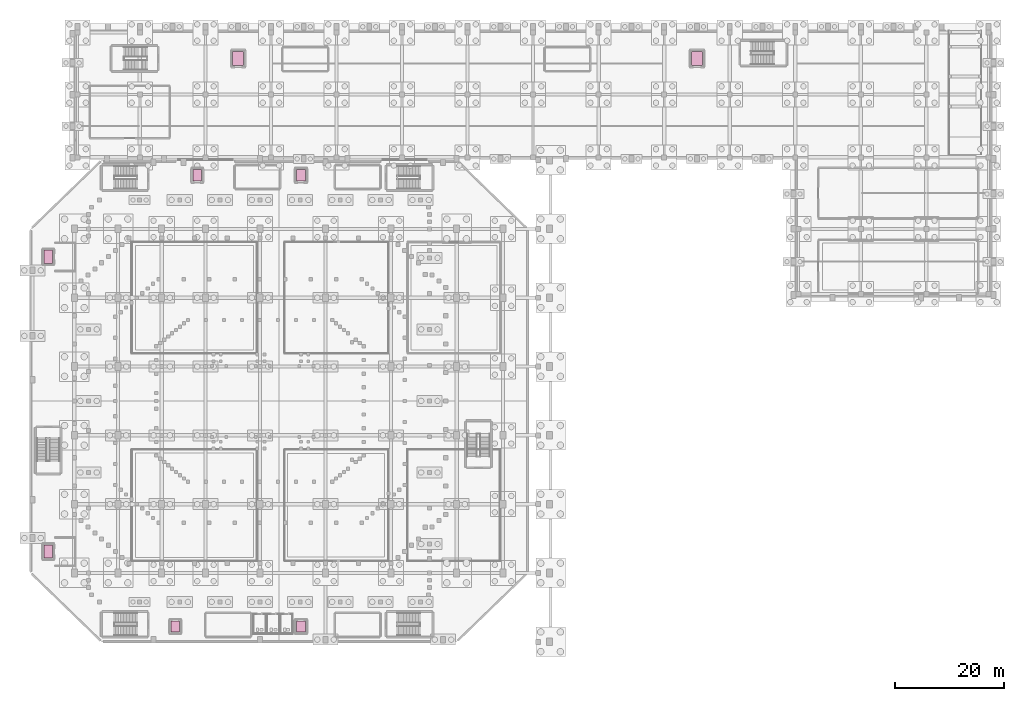
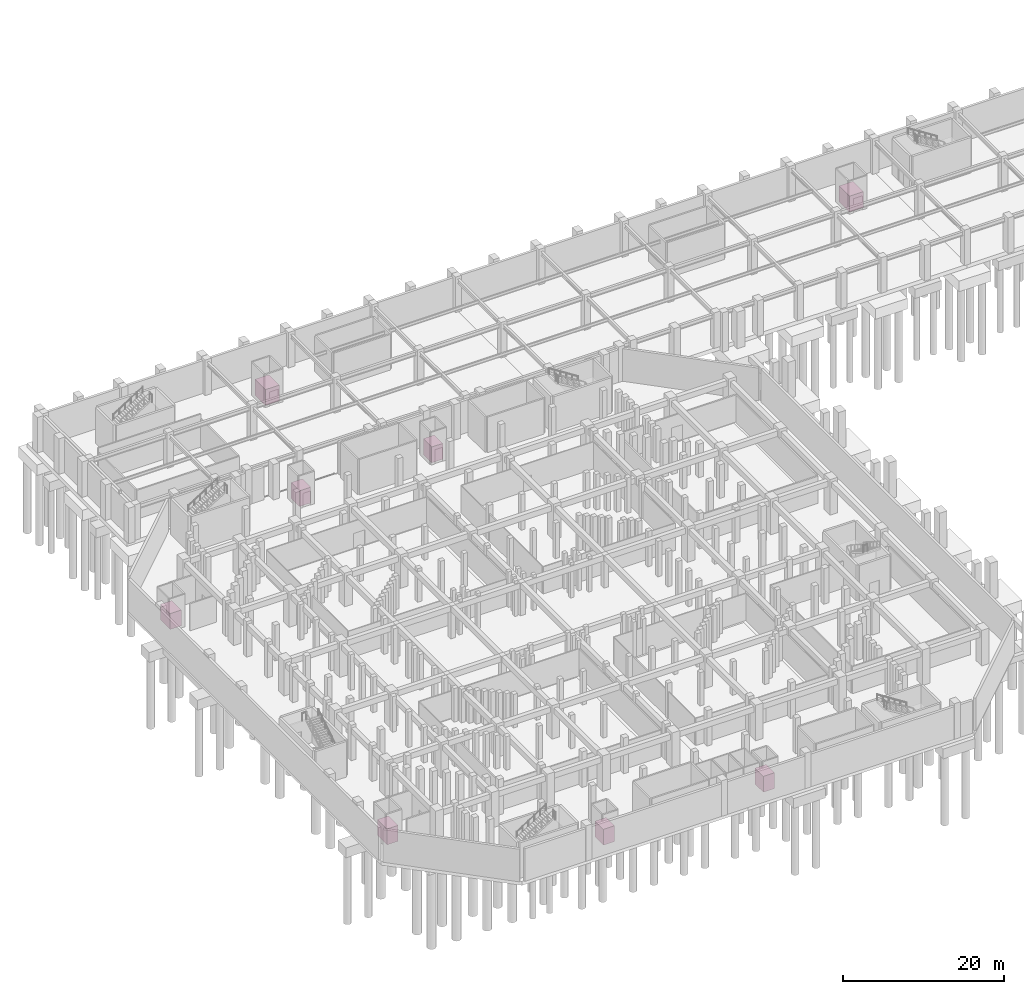
# One storey, part 27 of 27: 8 transport elements.
"""IFC4 building model written with IfcOpenShell, lengths in metres."""

from ifc_helpers import new_model, si_unit, derived_unit, direction, frame, origin, origin_2d, place, context, subcontext, project, spatial, rectangle, extrude, material, type_object, element, save


model = new_model("IFC4")

# Units and contexts
model_context = context("Model", 3, precision=1e-05, world=origin(), true_north=direction((0.0, 1.0)))
body_context = subcontext(model_context, "Body", "Model", "MODEL_VIEW")
ifc_project = project(units=[si_unit("LENGTHUNIT", "METRE"), si_unit("AREAUNIT", "SQUARE_METRE"), si_unit("VOLUMEUNIT", "CUBIC_METRE"), si_unit("PLANEANGLEUNIT", "RADIAN"), si_unit("MASSUNIT", "GRAM", prefix="KILO"), derived_unit("THERMALTRANSMITTANCEUNIT", [(si_unit("MASSUNIT", "GRAM", prefix="KILO"), 1), (si_unit("TIMEUNIT", "SECOND"), -3), (si_unit("THERMODYNAMICTEMPERATUREUNIT", "KELVIN"), -1)])], contexts=[model_context])

# Site, building, storey
site_placement = place(None, origin())
site = spatial("IfcSite", under=ifc_project, at=site_placement, CompositionType="ELEMENT")
building_placement = place(site_placement, origin())
building = spatial("IfcBuilding", under=site, at=building_placement, Name="Valcora Ridge Arena", CompositionType="ELEMENT")
storey_placement = place(building_placement, frame((0.0, 0.0, -5.39990234375)))
storey = spatial("IfcBuildingStorey", under=building, at=storey_placement, Name="B1", CompositionType="ELEMENT", Elevation=-5.39990234375)

# Transport elements
ifc_material = material(Name="Brushed stainless steel Grade 304", Category="steel")
transport_element_type_1 = type_object("IfcTransportElementType", Name="TY-TRANSPORTELEMENT-FFL1", PredefinedType="ELEVATOR", material=ifc_material)
transport_element_1_placement = place(storey_placement, frame((19.199951171875, 36.5, 0.0), z_axis=(0.0, 0.0, 1.0), x_axis=(1.0, 0.0, 0.0)))
element("IfcTransportElement", 1, at=transport_element_1_placement, inside=storey, type_object=transport_element_type_1, Name="FFL1 LFT-0001", PredefinedType="ELEVATOR", context=body_context, shape_type="SweptSolid", body=[
    extrude(rectangle(XDim=1.60009765625, YDim=2.39990234375, at=origin_2d()), origin(), (0.0, 0.0, 1.0), 2.39990234375),
])
transport_element_type_2 = type_object("IfcTransportElementType", Name="TY-TRANSPORTELEMENT-FFL2", PredefinedType="ELEVATOR", material=ifc_material)
transport_element_2_placement = place(storey_placement, frame((19.199951171875, 90.5, 0.0), z_axis=(0.0, 0.0, 1.0), x_axis=(1.0, 0.0, 0.0)))
element("IfcTransportElement", 2, at=transport_element_2_placement, inside=storey, type_object=transport_element_type_2, Name="FFL2 LFT-0002", PredefinedType="ELEVATOR", context=body_context, shape_type="SweptSolid", body=[
    extrude(rectangle(XDim=1.60009765625, YDim=2.39990234375, at=origin_2d()), origin(), (0.0, 0.0, 1.0), 2.39990234375),
])
transport_element_type_3 = type_object("IfcTransportElementType", Name="TY-TRANSPORTELEMENT-GL1", PredefinedType="ELEVATOR", material=ifc_material)
transport_element_3_placement = place(storey_placement, frame((54.0, 126.800048828125, 0.0), z_axis=(0.0, 0.0, 1.0), x_axis=(1.0, 0.0, 0.0)))
element("IfcTransportElement", 3, at=transport_element_3_placement, inside=storey, type_object=transport_element_type_3, Name="GL1 LFT-0013", PredefinedType="ELEVATOR", context=body_context, shape_type="SweptSolid", body=[
    extrude(rectangle(XDim=2.0, YDim=2.60009765625, at=origin_2d()), origin(), (0.0, 0.0, 1.0), 2.39990234375),
])
transport_element_type_4 = type_object("IfcTransportElementType", Name="TY-TRANSPORTELEMENT-GL2", PredefinedType="ELEVATOR", material=ifc_material)
transport_element_4_placement = place(storey_placement, frame((138.0, 126.800048828125, 0.0), z_axis=(0.0, 0.0, 1.0), x_axis=(1.0, 0.0, 0.0)))
element("IfcTransportElement", 4, at=transport_element_4_placement, inside=storey, type_object=transport_element_type_4, Name="GL2 LFT-0014", PredefinedType="ELEVATOR", context=body_context, shape_type="SweptSolid", body=[
    extrude(rectangle(XDim=2.0, YDim=2.60009765625, at=origin_2d()), origin(), (0.0, 0.0, 1.0), 2.39990234375),
])
transport_element_type_5 = type_object("IfcTransportElementType", Name="TY-TRANSPORTELEMENT-PL1", PredefinedType="ELEVATOR", material=ifc_material)
transport_element_5_placement = place(storey_placement, frame((42.5, 22.800048828125, 0.0), z_axis=(0.0, 0.0, 1.0), x_axis=(1.0, 0.0, 0.0)))
element("IfcTransportElement", 5, at=transport_element_5_placement, inside=storey, type_object=transport_element_type_5, Name="PL1 LFT-0003", PredefinedType="ELEVATOR", context=body_context, shape_type="SweptSolid", body=[
    extrude(rectangle(XDim=1.60009765625, YDim=2.10009765625, at=origin_2d()), origin(), (0.0, 0.0, 1.0), 2.39990234375),
])
transport_element_type_6 = type_object("IfcTransportElementType", Name="TY-TRANSPORTELEMENT-PL2", PredefinedType="ELEVATOR", material=ifc_material)
transport_element_6_placement = place(storey_placement, frame((65.5, 22.800048828125, 0.0), z_axis=(0.0, 0.0, 1.0), x_axis=(1.0, 0.0, 0.0)))
element("IfcTransportElement", 6, at=transport_element_6_placement, inside=storey, type_object=transport_element_type_6, Name="PL2 LFT-0004", PredefinedType="ELEVATOR", context=body_context, shape_type="SweptSolid", body=[
    extrude(rectangle(XDim=1.60009765625, YDim=2.10009765625, at=origin_2d()), origin(), (0.0, 0.0, 1.0), 2.39990234375),
])
transport_element_type_7 = type_object("IfcTransportElementType", Name="TY-TRANSPORTELEMENT-PL3", PredefinedType="ELEVATOR", material=ifc_material)
transport_element_7_placement = place(storey_placement, frame((46.5, 105.39990234375, 0.0), z_axis=(0.0, 0.0, 1.0), x_axis=(1.0, 0.0, 0.0)))
element("IfcTransportElement", 7, at=transport_element_7_placement, inside=storey, type_object=transport_element_type_7, Name="PL3 LFT-0005", PredefinedType="ELEVATOR", context=body_context, shape_type="SweptSolid", body=[
    extrude(rectangle(XDim=1.60009765625, YDim=2.10009765625, at=origin_2d()), origin(), (0.0, 0.0, 1.0), 2.39990234375),
])
transport_element_type_8 = type_object("IfcTransportElementType", Name="TY-TRANSPORTELEMENT-PL4", PredefinedType="ELEVATOR", material=ifc_material)
transport_element_8_placement = place(storey_placement, frame((65.5, 105.39990234375, 0.0), z_axis=(0.0, 0.0, 1.0), x_axis=(1.0, 0.0, 0.0)))
element("IfcTransportElement", 8, at=transport_element_8_placement, inside=storey, type_object=transport_element_type_8, Name="PL4 LFT-0006", PredefinedType="ELEVATOR", context=body_context, shape_type="SweptSolid", body=[
    extrude(rectangle(XDim=1.60009765625, YDim=2.10009765625, at=origin_2d()), origin(), (0.0, 0.0, 1.0), 2.39990234375),
])

save(model, "model.ifc")
